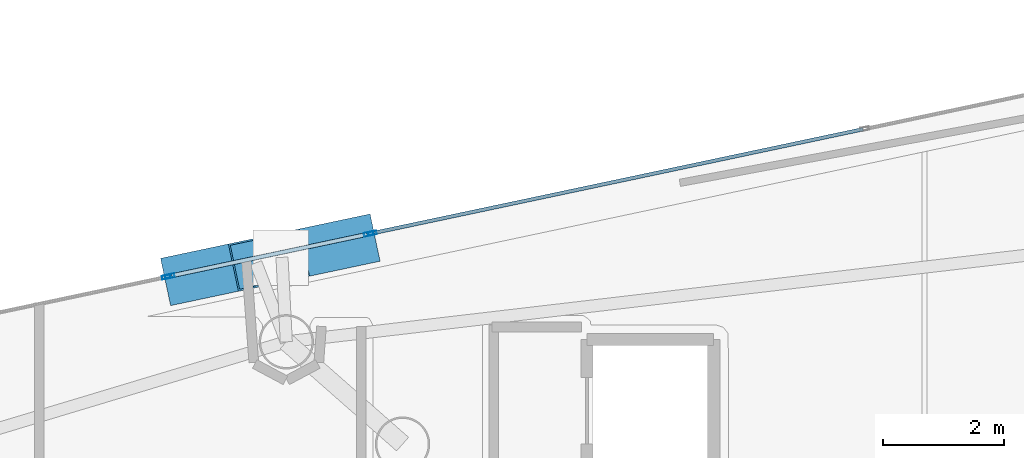
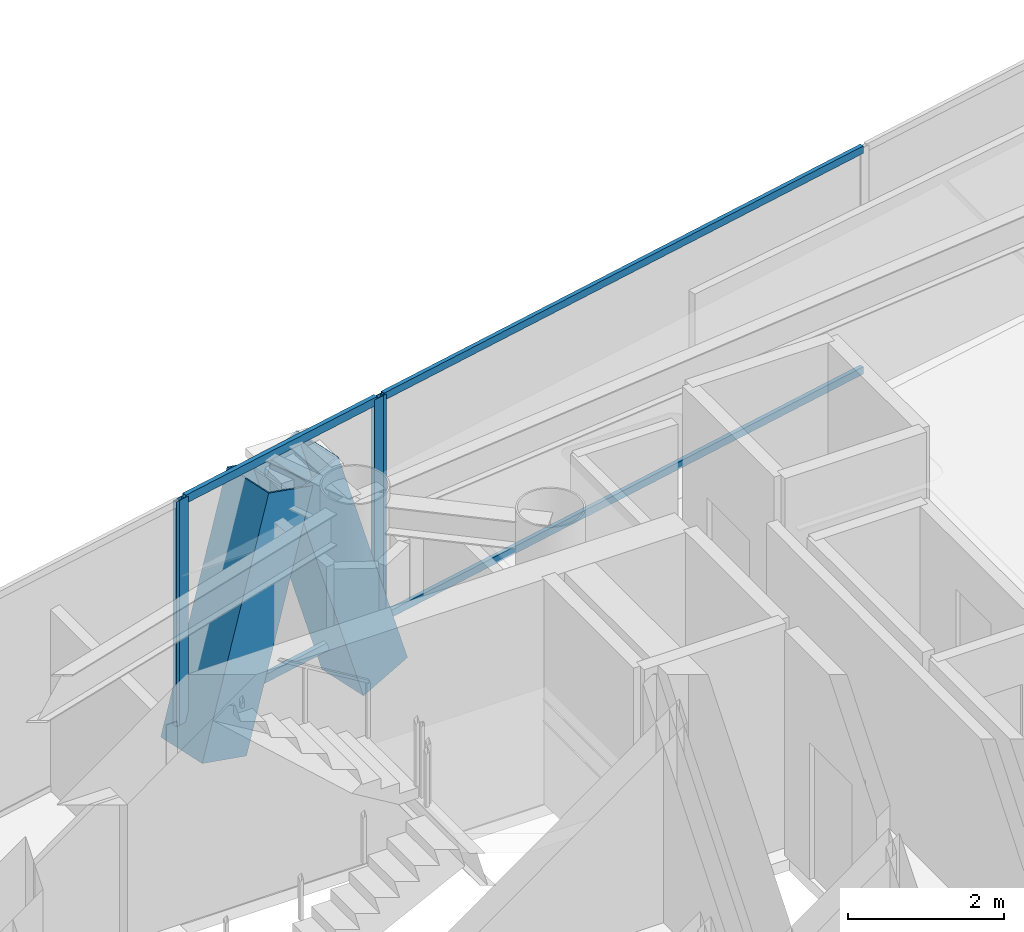
# One storey, part 13 of 21: 10 members, 3 elements without a shape of their own.
"""IFC4 building model written with IfcOpenShell, lengths in metres."""

import ifcopenshell
import ifcopenshell.guid

model = None  # the IFC model being written
_history = None  # IfcOwnerHistory: only IFC2X3 demands one
_inside = {}  # id of a spatial element -> (the spatial element, [elements in it])
_under = {}  # id of a project, library or spatial element -> (it, [spatial elements below it])
_declared = {}  # id of a project -> (the project, [libraries it declares])
_typed = {}  # id of a type object -> (the type object, [elements of that type])
_made_of = {}  # id of a material, layer set ... -> (it, [elements and type objects made of it])


def new_model(schema):
    """Start an empty IFC model of exactly this schema.

    Asked for "IFC4X3", IfcOpenShell would pick the latest addendum, in which some entities
    have other attributes; the version numbers below select the first issue.
    IFC2X3 requires an IfcOwnerHistory on every rooted entity: one is made here for all.
    """
    global model, _history
    if schema == "IFC4X3":
        model = ifcopenshell.file(schema_version=(4, 3, 0, 0))
    else:
        model = ifcopenshell.file(schema=schema)
    _inside.clear()
    _under.clear()
    _declared.clear()
    _typed.clear()
    _made_of.clear()
    _history = None
    if model.schema == "IFC2X3":
        org = make("IfcOrganization", Name="unknown")
        user = make(
            "IfcPersonAndOrganization",
            ThePerson=make("IfcPerson", FamilyName="unknown"),
            TheOrganization=org,
        )
        app = make(
            "IfcApplication",
            ApplicationDeveloper=org,
            Version="unknown",
            ApplicationFullName="unknown",
            ApplicationIdentifier="unknown",
        )
        _history = make(
            "IfcOwnerHistory",
            OwningUser=user,
            OwningApplication=app,
            ChangeAction="ADDED",
            CreationDate=0,
        )
    return model


def make(cls, **values):
    """One entity of the class cls with the attributes given. An attribute that is None is left unset."""
    return model.create_entity(
        cls, **{name: value for name, value in values.items() if value is not None}
    )


def rooted(cls, **values):
    """An entity with a GlobalId (a new one), such as an element, a storey or a relation."""
    return make(cls, GlobalId=ifcopenshell.guid.new(), OwnerHistory=_history, **values)


def si_unit(unit_type, name, prefix=None):
    """IfcSIUnit, for example si_unit("LENGTHUNIT", "METRE", prefix="MILLI")."""
    return make("IfcSIUnit", UnitType=unit_type, Prefix=prefix, Name=name)


def assignment(units):
    """IfcUnitAssignment: the units of a project."""
    return None if units is None else make("IfcUnitAssignment", Units=units)


def point(xyz):
    """IfcCartesianPoint."""
    return None if xyz is None else make("IfcCartesianPoint", Coordinates=xyz)


def direction(xyz):
    """IfcDirection."""
    return None if xyz is None else make("IfcDirection", DirectionRatios=xyz)


def frame(location, z_axis=None, x_axis=None):
    """IfcAxis2Placement3D, a coordinate frame: its origin and axes. An axis left out is left unset."""
    return make(
        "IfcAxis2Placement3D",
        Location=point(location),
        Axis=direction(z_axis),
        RefDirection=direction(x_axis),
    )


def frame_2d(location, x_axis=None):
    """IfcAxis2Placement2D, a coordinate frame in the plane: its origin and x axis."""
    return make(
        "IfcAxis2Placement2D", Location=point(location), RefDirection=direction(x_axis)
    )


def origin():
    """The frame at (0, 0, 0) with its axes left unset."""
    return frame((0.0, 0.0, 0.0))


def origin_2d():
    """The frame at (0, 0) in the plane with its x axis left unset."""
    return frame_2d((0.0, 0.0))


def place(relative_to, where):
    """IfcLocalPlacement: puts the frame where relative to a parent placement (None: the world)."""
    return make(
        "IfcLocalPlacement", PlacementRelTo=relative_to, RelativePlacement=where
    )


def context(
    kind, dimensions, precision=None, world=None, true_north=None, identifier=None
):
    """IfcGeometricRepresentationContext, for example the 3D "Model" context."""
    return make(
        "IfcGeometricRepresentationContext",
        ContextIdentifier=identifier,
        ContextType=kind,
        CoordinateSpaceDimension=dimensions,
        Precision=precision,
        WorldCoordinateSystem=world,
        TrueNorth=true_north,
    )


def subcontext(parent, identifier, kind, view, scale=None):
    """IfcGeometricRepresentationSubContext, for example "Body" below "Model"."""
    return make(
        "IfcGeometricRepresentationSubContext",
        ContextIdentifier=identifier,
        ContextType=kind,
        ParentContext=parent,
        TargetScale=scale,
        TargetView=view,
    )


def project(units=None, contexts=None):
    """IfcProject with its units and contexts."""
    return rooted(
        "IfcProject",
        Name="project",
        RepresentationContexts=contexts,
        UnitsInContext=assignment(units),
    )


def spatial(cls, under=None, at=None, **own):
    """A site, building, storey or space (cls), placed at a placement, below another one or the project."""
    s = rooted(cls, ObjectPlacement=at, **own)
    if under is not None:
        _under.setdefault(under.id(), (under, []))[1].append(s)
    return s


def profile(cls, at=None, kind="AREA", **sizes):
    """A parametric profile (cls). Its sizes go by their IFC names, for example OverallWidth=200.0."""
    return make(cls, ProfileType=kind, Position=at, **sizes)


def hollow_rectangle(**sizes):
    """IfcRectangleHollowProfileDef."""
    return profile("IfcRectangleHollowProfileDef", **sizes)


def extrude(swept, where, along, depth):
    """IfcExtrudedAreaSolid: the profile swept, set in the frame where, extruded along a direction by depth."""
    return make(
        "IfcExtrudedAreaSolid",
        SweptArea=swept,
        Position=where,
        ExtrudedDirection=direction(along),
        Depth=depth,
    )


def shape(context_of_items, identifier, shape_type, items):
    """IfcShapeRepresentation: the items that make up one representation, for example the "Body"."""
    return make(
        "IfcShapeRepresentation",
        ContextOfItems=context_of_items,
        RepresentationIdentifier=identifier,
        RepresentationType=shape_type,
        Items=items,
    )


def material(Name=None, Category=None):
    """IfcMaterial."""
    return make("IfcMaterial", Name=Name, Category=Category)


def layer(
    of_material, thickness, ventilated=None, Name=None, Category=None, Priority=None
):
    """IfcMaterialLayer: one layer of a wall or slab, of a material (None: an air gap)."""
    return make(
        "IfcMaterialLayer",
        Material=of_material,
        LayerThickness=thickness,
        IsVentilated=ventilated,
        Name=Name,
        Category=Category,
        Priority=Priority,
    )


def layer_set(layers, Name=None):
    """IfcMaterialLayerSet."""
    return make("IfcMaterialLayerSet", MaterialLayers=layers, LayerSetName=Name)


def material_profile(
    of_material, cross_section, Name=None, Category=None, Priority=None
):
    """IfcMaterialProfile: a cross section and its material."""
    return make(
        "IfcMaterialProfile",
        Name=Name,
        Material=of_material,
        Profile=cross_section,
        Priority=Priority,
        Category=Category,
    )


def profile_set(profiles, Name=None, composite=None):
    """IfcMaterialProfileSet."""
    return make(
        "IfcMaterialProfileSet",
        Name=Name,
        MaterialProfiles=profiles,
        CompositeProfile=composite,
    )


def made_of(thing, what):
    """Note that an element or type object is made of a material, layer set ...; save() writes the relation."""
    if what is not None:
        _made_of.setdefault(what.id(), (what, []))[1].append(thing)
    return thing


def type_object(cls, material=None, **own):
    """A type object (cls), such as IfcWallType, which elements share."""
    return made_of(rooted(cls, **own), material)


def element(
    cls,
    number,
    at=None,
    inside=None,
    cuts=None,
    type_object=None,
    material=None,
    context=None,
    identifier="Body",
    shape_type=None,
    held_by="IfcProductDefinitionShape",
    body=None,
    shapes=None,
    **own,
):
    """One element of the class cls, such as IfcWall. Its Tag is "e" and its number.

    at: its placement. inside: the storey or other place that contains it. cuts: it is an
    opening in that element (IfcRelVoidsElement). A single representation is given by context,
    identifier, shape_type and body (its items); several are given by shapes. held_by: the class
    of the entity that holds the representations. save() writes the other relations.
    """
    e = rooted(cls, Tag="e%d" % number, ObjectPlacement=at, **own)
    if body is not None:
        shapes = [shape(context, identifier, shape_type, body)]
    if shapes is not None:
        e.Representation = make(held_by, Representations=shapes)
    if inside is not None:
        _inside.setdefault(inside.id(), (inside, []))[1].append(e)
    if cuts is not None:
        rooted(
            "IfcRelVoidsElement", RelatingBuildingElement=cuts, RelatedOpeningElement=e
        )
    if type_object is not None:
        _typed.setdefault(type_object.id(), (type_object, []))[1].append(e)
    return made_of(e, material)


def aggregate(whole, parts):
    """IfcRelAggregates: a whole, such as a stair, and the parts it consists of."""
    return rooted("IfcRelAggregates", RelatingObject=whole, RelatedObjects=parts)


def save(model, path):
    """Write the relations noted so far, then the file.

    IfcRelAggregates (storeys below a building ...), IfcRelContainedInSpatialStructure (elements
    in a storey), IfcRelDefinesByType, IfcRelAssociatesMaterial and IfcRelDeclares: one each for
    every whole, place, type object, material and project.
    """
    for whole, parts in _under.values():
        aggregate(whole, parts)
    for where, things in _inside.values():
        rooted(
            "IfcRelContainedInSpatialStructure",
            RelatedElements=things,
            RelatingStructure=where,
        )
    for kind, things in _typed.values():
        rooted("IfcRelDefinesByType", RelatedObjects=things, RelatingType=kind)
    for what, things in _made_of.values():
        rooted("IfcRelAssociatesMaterial", RelatedObjects=things, RelatingMaterial=what)
    for by, libraries in _declared.values():
        rooted("IfcRelDeclares", RelatingContext=by, RelatedDefinitions=libraries)
    model.write(path)


model = new_model("IFC4")

# Units and contexts
model_context = context("Model", 3, precision=1e-05, world=origin(), true_north=direction((0.0, 1.0)))
body_context = subcontext(model_context, "Body", "Model", "MODEL_VIEW")
ifc_project = project(units=[si_unit("LENGTHUNIT", "METRE"), si_unit("AREAUNIT", "SQUARE_METRE"), si_unit("VOLUMEUNIT", "CUBIC_METRE"), si_unit("PLANEANGLEUNIT", "RADIAN"), si_unit("MASSUNIT", "GRAM", prefix="KILO")], contexts=[model_context])

# Site, building, storey
site_placement = place(None, origin())
site = spatial("IfcSite", under=ifc_project, at=site_placement, CompositionType="ELEMENT")
building_placement = place(site_placement, origin())
building = spatial("IfcBuilding", under=site, at=building_placement, Name="Qianvela Tower", CompositionType="ELEMENT")
storey_placement = place(building_placement, frame((0.0, 0.0, 302.800048828125)))
storey = spatial("IfcBuildingStorey", under=building, at=storey_placement, Name="L78", CompositionType="ELEMENT", Elevation=302.800048828125)

# Curtain wall, members
ifc_material_1 = material(Name="Anodised Architectural Aluminium and Insulated Spandrel Panel", Category="aluminium")
ifc_layer_1 = layer(ifc_material_1, 0.179931640625)
ifc_layer_set_1 = layer_set([ifc_layer_1], Name="Anodised Architectural Aluminium and Insulated Spandrel Panel")
curtain_wall_type_1 = type_object("IfcCurtainWallType", Name="CW-BRACEBAY", PredefinedType="USERDEFINED", material=ifc_layer_set_1)
curtain_wall_1_placement = place(storey_placement, origin())
curtain_wall_1 = element("IfcCurtainWall", 1, at=curtain_wall_1_placement, inside=storey, type_object=curtain_wall_type_1, Name="L78 CW-BRACEBAY Curtain Wall 02B", ObjectType="CURTAIN_WALL_SYSTEM", PredefinedType="USERDEFINED")
ifc_material_2 = material(Name="Anodised Architectural Aluminium 6063-T6", Category="aluminium")
ifc_material_profile_1 = material_profile(ifc_material_2, hollow_rectangle(XDim=0.06494140625, YDim=0.159912109375, WallThickness=0.0048828125, at=origin_2d()), Name="ALU-MULL-65x160")
ifc_profile_set_1 = profile_set([ifc_material_profile_1], Name="Anodised Architectural Aluminium 6063-T6")
member_type_1 = type_object("IfcMemberType", Name="CW-BRACEBAY-MULL", PredefinedType="MULLION", material=ifc_profile_set_1)
member_1_placement = place(storey_placement, frame((37.840576171875, 37.027587890625, 0.0), z_axis=(0.0, 0.0, 1.0), x_axis=(0.207344421294, -0.978268005691, 0.0)))
member_1 = element("IfcMember", 2, at=member_1_placement, type_object=member_type_1, Name="CW-9 mullion 1", PredefinedType="MULLION", context=body_context, shape_type="SweptSolid", body=[
    extrude(hollow_rectangle(XDim=0.06494140625, YDim=0.159912109375, WallThickness=0.0048828125, at=origin_2d()), origin(), (0.0, 0.0, 1.0), 3.52001953125),
])
member_2_placement = place(storey_placement, frame((34.548583984375, 36.329833984375, 0.0), z_axis=(0.0, 0.0, 1.0), x_axis=(0.207344421294, -0.978268005691, 0.0)))
member_2 = element("IfcMember", 3, at=member_2_placement, type_object=member_type_1, Name="CW-9 mullion 2", PredefinedType="MULLION", context=body_context, shape_type="SweptSolid", body=[
    extrude(hollow_rectangle(XDim=0.06494140625, YDim=0.159912109375, WallThickness=0.0048828125, at=origin_2d()), origin(), (0.0, 0.0, 1.0), 3.52001953125),
])
ifc_material_3 = material(Name="Anodised Architectural Aluminium 6063-T6", Category="aluminium")
ifc_material_profile_2 = material_profile(ifc_material_3, hollow_rectangle(XDim=0.06494140625, YDim=0.1298828125, WallThickness=0.00439453125, at=origin_2d()), Name="ALU-TRAN-65x130")
ifc_profile_set_2 = profile_set([ifc_material_profile_2], Name="Anodised Architectural Aluminium 6063-T6")
member_type_2 = type_object("IfcMemberType", Name="CW-BRACEBAY-TRAN", PredefinedType="USERDEFINED", material=ifc_profile_set_2)
member_3_placement = place(storey_placement, frame((37.80859375, 37.02099609375, 0.032470703125), z_axis=(-0.978262330588, -0.207371195087, 0.0), x_axis=(0.207371195087, -0.978262330588, 0.0)))
member_3 = element("IfcMember", 4, at=member_3_placement, type_object=member_type_2, Name="CW-9 transom 1.1", ObjectType="TRANSOM", PredefinedType="USERDEFINED", context=body_context, shape_type="SweptSolid", body=[
    extrude(hollow_rectangle(XDim=0.06494140625, YDim=0.1298828125, WallThickness=0.00439453125, at=origin_2d()), origin(), (0.0, 0.0, 1.0), 3.300048828125),
])
member_4_placement = place(storey_placement, frame((37.80859375, 37.02099609375, 3.487548828125), z_axis=(-0.978262330588, -0.207371195087, 0.0), x_axis=(0.207371195087, -0.978262330588, 0.0)))
member_4 = element("IfcMember", 5, at=member_4_placement, type_object=member_type_2, Name="CW-9 transom 1.2", ObjectType="TRANSOM", PredefinedType="USERDEFINED", context=body_context, shape_type="SweptSolid", body=[
    extrude(hollow_rectangle(XDim=0.06494140625, YDim=0.1298828125, WallThickness=0.00439453125, at=origin_2d()), origin(), (0.0, 0.0, 1.0), 3.300048828125),
])
aggregate(curtain_wall_1, [member_1, member_2, member_3, member_4])

# Curtain wall, member
ifc_material_4 = material(Name="Anodised Architectural Aluminium and Low-E Glass", Category="aluminium")
ifc_layer_2 = layer(ifc_material_4, 0.14990234375)
ifc_layer_set_2 = layer_set([ifc_layer_2], Name="Anodised Architectural Aluminium and Low-E Glass")
curtain_wall_type_2 = type_object("IfcCurtainWallType", Name="CW-COLIV-Z78", PredefinedType="USERDEFINED", material=ifc_layer_set_2)
curtain_wall_2_placement = place(storey_placement, origin())
curtain_wall_2 = element("IfcCurtainWall", 6, at=curtain_wall_2_placement, inside=storey, type_object=curtain_wall_type_2, Name="L78 CW-COLIV-Z78 Curtain Wall 02A", ObjectType="CURTAIN_WALL_SYSTEM", PredefinedType="USERDEFINED")
ifc_material_5 = material(Name="Anodised Architectural Aluminium 6063-T6", Category="aluminium")
ifc_material_profile_3 = material_profile(ifc_material_5, hollow_rectangle(XDim=0.06005859375, YDim=0.139892578125, WallThickness=0.00439453125, at=origin_2d()), Name="ALU-MULL-60x140")
ifc_profile_set_3 = profile_set([ifc_material_profile_3], Name="Anodised Architectural Aluminium 6063-T6")
member_type_3 = type_object("IfcMemberType", Name="CW-COLIV-Z78-MULL", PredefinedType="MULLION", material=ifc_profile_set_3)
member_5_placement = place(storey_placement, frame((37.901611328125, 37.04052734375, 0.0), z_axis=(0.0, 0.0, 1.0), x_axis=(0.207344992385, -0.978267884648, 0.0)))
member_5 = element("IfcMember", 7, at=member_5_placement, type_object=member_type_3, Name="CW-6 mullion 3", PredefinedType="MULLION", context=body_context, shape_type="SweptSolid", body=[
    extrude(hollow_rectangle(XDim=0.06005859375, YDim=0.139892578125, WallThickness=0.00439453125, at=origin_2d()), origin(), (0.0, 0.0, 1.0), 3.52001953125),
])

curtain_wall_3_placement = place(storey_placement, origin())
curtain_wall_3 = element("IfcCurtainWall", 8, at=curtain_wall_3_placement, inside=storey, type_object=curtain_wall_type_2, Name="L78 CW-COLIV-Z78 Curtain Wall 02C", ObjectType="CURTAIN_WALL_SYSTEM", PredefinedType="USERDEFINED")
member_6_placement = place(storey_placement, frame((34.487548828125, 36.31689453125, 0.0), z_axis=(0.0, 0.0, 1.0), x_axis=(0.207348083802, -0.978267229413, 0.0)))
member_6 = element("IfcMember", 9, at=member_6_placement, type_object=member_type_3, Name="CW-6 mullion 1", PredefinedType="MULLION", context=body_context, shape_type="SweptSolid", body=[
    extrude(hollow_rectangle(XDim=0.06005859375, YDim=0.139892578125, WallThickness=0.00439453125, at=origin_2d()), origin(), (0.0, 0.0, 1.0), 3.52001953125),
])
aggregate(curtain_wall_3, [member_6])

# Member
ifc_material_6 = material(Name="Anodised Architectural Aluminium 6063-T6", Category="aluminium")
ifc_material_profile_4 = material_profile(ifc_material_6, hollow_rectangle(XDim=0.06005859375, YDim=0.114990234375, WallThickness=0.00390625, at=origin_2d()), Name="ALU-TRAN-60x115")
ifc_profile_set_4 = profile_set([ifc_material_profile_4], Name="Anodised Architectural Aluminium 6063-T6")
member_type_4 = type_object("IfcMemberType", Name="CW-COLIV-Z78-TRAN", PredefinedType="USERDEFINED", material=ifc_profile_set_4)
member_7_placement = place(storey_placement, frame((46.021240234375, 38.761474609375, 0.030029296875), z_axis=(-0.978271697927, -0.207327000258, 0.0), x_axis=(0.207327000258, -0.978271697927, 0.0)))
member_7 = element("IfcMember", 10, at=member_7_placement, type_object=member_type_4, Name="CW-6 transom 2.1", ObjectType="TRANSOM", PredefinedType="USERDEFINED", context=body_context, shape_type="SweptSolid", body=[
    extrude(hollow_rectangle(XDim=0.06005859375, YDim=0.114990234375, WallThickness=0.00390625, at=origin_2d()), origin(), (0.0, 0.0, 1.0), 8.27001953125),
])

member_8_placement = place(storey_placement, frame((46.021240234375, 38.761474609375, 3.489990234375), z_axis=(-0.978271697927, -0.207327000258, 0.0), x_axis=(0.207327000258, -0.978271697927, 0.0)))
member_8 = element("IfcMember", 11, at=member_8_placement, type_object=member_type_4, Name="CW-6 transom 2.2", ObjectType="TRANSOM", PredefinedType="USERDEFINED", context=body_context, shape_type="SweptSolid", body=[
    extrude(hollow_rectangle(XDim=0.06005859375, YDim=0.114990234375, WallThickness=0.00390625, at=origin_2d()), origin(), (0.0, 0.0, 1.0), 8.27001953125),
])

aggregate(curtain_wall_2, [member_5, member_7, member_8])

# Members
ifc_material_7 = material(Name="Steel Q420GJC", Category="steel")
ifc_material_profile_5 = material_profile(ifc_material_7, hollow_rectangle(XDim=0.800048828125, YDim=0.800048828125, WallThickness=0.028076171875, at=origin_2d()), Name="MBOX-800x800x28")
ifc_profile_set_5 = profile_set([ifc_material_profile_5], Name="Steel Q420GJC")
member_type_5 = type_object("IfcMemberType", Name="MBR-MBRACE-800", PredefinedType="BRACE", material=ifc_profile_set_5)
member_9_placement = place(storey_placement, frame((37.572998046875, 36.88916015625, -0.48193359375), z_axis=(-0.30053233466, -0.063673169107, 0.951643863722), x_axis=(0.207267106331, -0.978284389446, 0.0)))
element("IfcMember", 12, at=member_9_placement, inside=storey, type_object=member_type_5, Name="L78 Tier 13 Exterior Mega-Brace F1A", PredefinedType="BRACE", context=body_context, shape_type="SweptSolid", body=[
    extrude(hollow_rectangle(XDim=0.800048828125, YDim=0.800048828125, WallThickness=0.028076171875, at=origin_2d()), origin(), (0.0, 0.0, 1.0), 3.887939453125),
])
member_10_placement = place(storey_placement, frame((34.851806640625, 36.3125, -0.48193359375), z_axis=(0.28972458973, 0.061386067087, 0.955139472995), x_axis=(-0.207275872587, 0.978282532116, 0.0)))
element("IfcMember", 13, at=member_10_placement, inside=storey, type_object=member_type_5, Name="L78 Tier 13 Exterior Mega-Brace F1B", PredefinedType="BRACE", context=body_context, shape_type="SweptSolid", body=[
    extrude(hollow_rectangle(XDim=0.800048828125, YDim=0.800048828125, WallThickness=0.028076171875, at=origin_2d()), origin(), (0.0, 0.0, 1.0), 3.873779296875),
])

save(model, "model.ifc")
